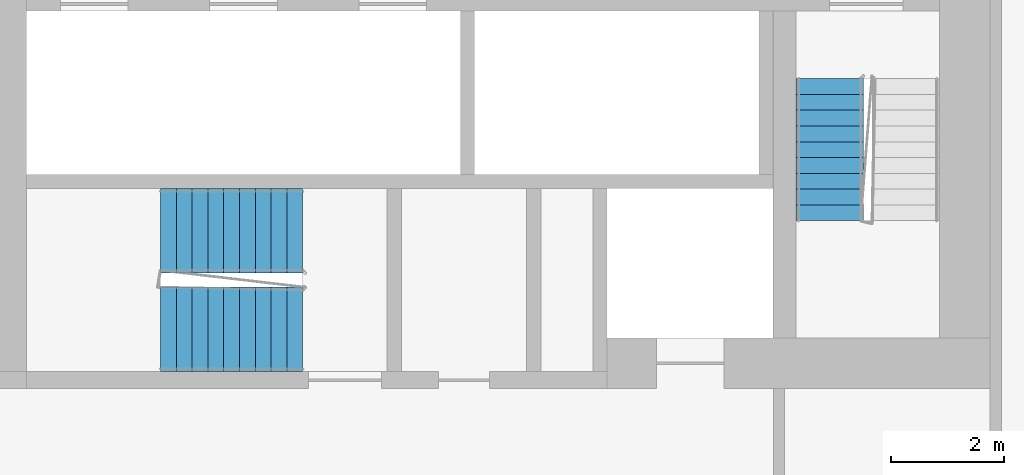
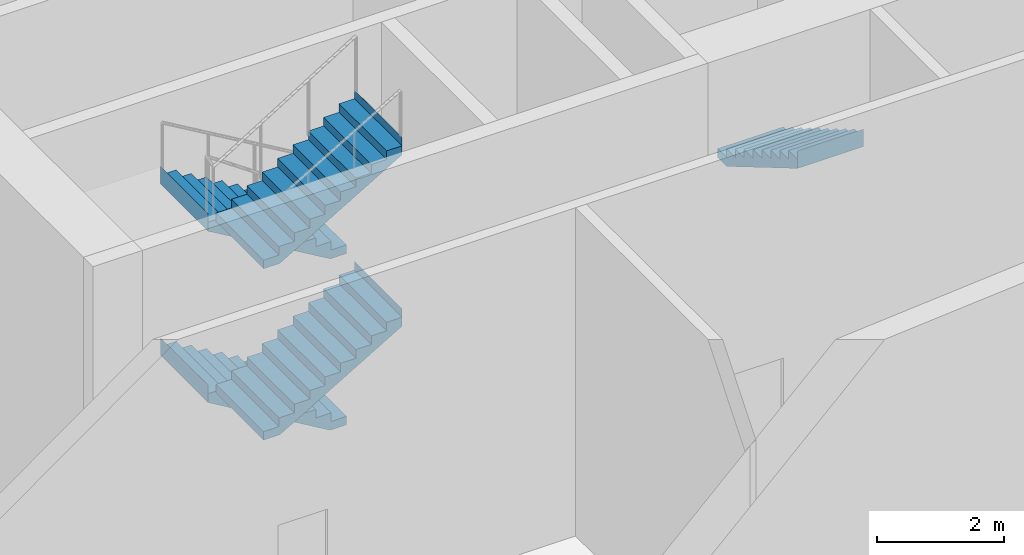
# One storey, part 17 of 25: 5 stair flights, 2 elements without a shape of their own.
"""IFC4 building model written with IfcOpenShell, lengths in metres."""

from ifc_helpers import new_model, si_unit, direction, frame, origin, place, context, subcontext, project, spatial, faceted_brep, material, type_object, element, aggregate, save


model = new_model("IFC4")

# Units and contexts
model_context = context("Model", 3, precision=1e-05, world=origin(), true_north=direction((0.0, 1.0)))
body_context = subcontext(model_context, "Body", "Model", "MODEL_VIEW")
ifc_project = project(units=[si_unit("LENGTHUNIT", "METRE"), si_unit("AREAUNIT", "SQUARE_METRE"), si_unit("VOLUMEUNIT", "CUBIC_METRE"), si_unit("PLANEANGLEUNIT", "RADIAN"), si_unit("MASSUNIT", "GRAM", prefix="KILO")], contexts=[model_context])

# Site, building, storey
site_placement = place(None, origin())
site = spatial("IfcSite", under=ifc_project, at=site_placement, CompositionType="ELEMENT")
building_placement = place(site_placement, origin())
building = spatial("IfcBuilding", under=site, at=building_placement, Name="Kajstack Hotel Tower", CompositionType="ELEMENT")
storey_placement = place(building_placement, frame((0.0, 0.0, 104.199951171875)))
storey = spatial("IfcBuildingStorey", under=building, at=storey_placement, Name="L22", CompositionType="ELEMENT", Elevation=104.199951171875)

# Stair, stair flight
ifc_material = material(Name="Concrete C40/50", Category="concrete")
stair_type_1 = type_object("IfcStairType", Name="Exit stair 1200", PredefinedType="HALF_TURN_STAIR", material=ifc_material)
stair_1_placement = place(storey_placement, origin())
stair_1 = element("IfcStair", 1, at=stair_1_placement, inside=storey, type_object=stair_type_1, Name="L22 stair W2", PredefinedType="HALF_TURN_STAIR")
stair_flight_type_1 = type_object("IfcStairFlightType", Name="Exit stair flight 1200", PredefinedType="STRAIGHT", material=ifc_material)
stair_flight_1_placement = place(storey_placement, frame((-16.35009765625, -10.0, 0.0), z_axis=(0.0, 0.0, 1.0), x_axis=(0.0, -1.0, 0.0)))
stair_flight_1 = element("IfcStairFlight", 2, at=stair_flight_1_placement, type_object=stair_flight_type_1, Name="W2 flight 1", NumberOfRisers=10, NumberOfTreads=9, PredefinedType="STRAIGHT", RiserHeight=0.165, TreadLength=0.28, context=body_context, shape_type="Brep", body=[
    faceted_brep([(0.295654296875, -0.60009765625, 0.0), (2.5205078125, -0.60009765625, 1.31103515625), (2.5205078125, -0.60009765625, 1.64990234375), (2.52001953125, -0.60009765625, 1.64990234375), (2.52001953125, -0.60009765625, 1.485107421875), (2.239990234375, -0.60009765625, 1.485107421875), (2.239990234375, -0.60009765625, 1.320068359375), (1.9599609375, -0.60009765625, 1.320068359375), (1.9599609375, -0.60009765625, 1.155029296875), (1.679931640625, -0.60009765625, 1.155029296875), (1.679931640625, -0.60009765625, 0.989990234375), (1.39990234375, -0.60009765625, 0.989990234375), (1.39990234375, -0.60009765625, 0.824951171875), (1.1201171875, -0.60009765625, 0.824951171875), (1.1201171875, -0.60009765625, 0.659912109375), (0.840087890625, -0.60009765625, 0.659912109375), (0.840087890625, -0.60009765625, 0.4951171875), (0.56005859375, -0.60009765625, 0.4951171875), (0.56005859375, -0.60009765625, 0.330078125), (0.280029296875, -0.60009765625, 0.330078125), (0.280029296875, -0.60009765625, 0.1650390625), (-0.00048828125, -0.60009765625, 0.1650390625), (-0.00048828125, -0.60009765625, 0.0), (-0.00048828125, 0.60009765625, 0.0), (-0.00048828125, 0.60009765625, 0.1650390625), (0.280029296875, 0.60009765625, 0.1650390625), (0.280029296875, 0.60009765625, 0.330078125), (0.56005859375, 0.60009765625, 0.330078125), (0.56005859375, 0.60009765625, 0.4951171875), (0.840087890625, 0.60009765625, 0.4951171875), (0.840087890625, 0.60009765625, 0.659912109375), (1.1201171875, 0.60009765625, 0.659912109375), (1.1201171875, 0.60009765625, 0.824951171875), (1.39990234375, 0.60009765625, 0.824951171875), (1.39990234375, 0.60009765625, 0.989990234375), (1.679931640625, 0.60009765625, 0.989990234375), (1.679931640625, 0.60009765625, 1.155029296875), (1.9599609375, 0.60009765625, 1.155029296875), (1.9599609375, 0.60009765625, 1.320068359375), (2.239990234375, 0.60009765625, 1.320068359375), (2.239990234375, 0.60009765625, 1.485107421875), (2.52001953125, 0.60009765625, 1.485107421875), (2.52001953125, 0.60009765625, 1.64990234375), (2.5205078125, 0.60009765625, 1.64990234375), (2.5205078125, 0.60009765625, 1.31103515625), (0.295654296875, 0.60009765625, 0.0), (-0.00048828125, -0.300048828125, 0.1650390625), (-0.00048828125, 0.0, 0.1650390625), (-0.00048828125, 0.300048828125, 0.1650390625), (-0.00048828125, 0.300048828125, 0.0), (-0.00048828125, 0.0, 0.0), (-0.00048828125, -0.300048828125, 0.0), (0.280029296875, -0.300048828125, 0.1650390625), (0.280029296875, 0.0, 0.1650390625), (0.280029296875, 0.300048828125, 0.1650390625), (0.280029296875, -0.300048828125, 0.330078125), (0.280029296875, 0.0, 0.330078125), (0.280029296875, 0.300048828125, 0.330078125), (0.56005859375, -0.300048828125, 0.330078125), (0.56005859375, 0.0, 0.330078125), (0.56005859375, 0.300048828125, 0.330078125), (0.56005859375, -0.300048828125, 0.4951171875), (0.56005859375, 0.0, 0.4951171875), (0.56005859375, 0.300048828125, 0.4951171875), (0.840087890625, -0.300048828125, 0.4951171875), (0.840087890625, 0.0, 0.4951171875), (0.840087890625, 0.300048828125, 0.4951171875), (0.840087890625, -0.300048828125, 0.659912109375), (0.840087890625, 0.0, 0.659912109375), (0.840087890625, 0.300048828125, 0.659912109375), (1.1201171875, -0.300048828125, 0.659912109375), (1.1201171875, 0.0, 0.659912109375), (1.1201171875, 0.300048828125, 0.659912109375), (1.1201171875, -0.300048828125, 0.824951171875), (1.1201171875, 0.0, 0.824951171875), (1.1201171875, 0.300048828125, 0.824951171875), (1.39990234375, -0.300048828125, 0.824951171875), (1.39990234375, 0.0, 0.824951171875), (1.39990234375, 0.300048828125, 0.824951171875), (1.39990234375, -0.300048828125, 0.989990234375), (1.39990234375, 0.0, 0.989990234375), (1.39990234375, 0.300048828125, 0.989990234375), (1.679931640625, -0.300048828125, 0.989990234375), (1.679931640625, 0.0, 0.989990234375), (1.679931640625, 0.300048828125, 0.989990234375), (1.679931640625, -0.300048828125, 1.155029296875), (1.679931640625, 0.0, 1.155029296875), (1.679931640625, 0.300048828125, 1.155029296875), (1.9599609375, -0.300048828125, 1.155029296875), (1.9599609375, 0.0, 1.155029296875), (1.9599609375, 0.300048828125, 1.155029296875), (1.9599609375, -0.300048828125, 1.320068359375), (1.9599609375, 0.0, 1.320068359375), (1.9599609375, 0.300048828125, 1.320068359375), (2.239990234375, -0.300048828125, 1.320068359375), (2.239990234375, 0.0, 1.320068359375), (2.239990234375, 0.300048828125, 1.320068359375), (2.239990234375, -0.300048828125, 1.485107421875), (2.239990234375, 0.0, 1.485107421875), (2.239990234375, 0.300048828125, 1.485107421875), (2.52001953125, -0.300048828125, 1.485107421875), (2.52001953125, 0.0, 1.485107421875), (2.52001953125, 0.300048828125, 1.485107421875), (2.52001953125, -0.300048828125, 1.64990234375), (2.52001953125, 0.0, 1.64990234375), (2.52001953125, 0.300048828125, 1.64990234375), (2.5205078125, -0.300048828125, 1.64990234375), (2.5205078125, 0.0, 1.64990234375), (2.5205078125, 0.300048828125, 1.64990234375), (2.5205078125, -0.300048828125, 1.31103515625), (2.5205078125, 0.0, 1.31103515625), (2.5205078125, 0.300048828125, 1.31103515625), (0.295654296875, -0.300048828125, 0.0), (0.295654296875, 0.0, 0.0), (0.295654296875, 0.300048828125, 0.0)], [[[0, 1, 2, 3, 4, 5, 6, 7, 8, 9, 10, 11, 12, 13, 14, 15, 16, 17, 18, 19, 20, 21, 22]], [[23, 24, 25, 26, 27, 28, 29, 30, 31, 32, 33, 34, 35, 36, 37, 38, 39, 40, 41, 42, 43, 44, 45]], [[21, 46, 47, 48, 24, 23, 49, 50, 51, 22]], [[20, 52, 53, 54, 25, 24, 48, 47, 46, 21]], [[19, 55, 56, 57, 26, 25, 54, 53, 52, 20]], [[18, 58, 59, 60, 27, 26, 57, 56, 55, 19]], [[17, 61, 62, 63, 28, 27, 60, 59, 58, 18]], [[16, 64, 65, 66, 29, 28, 63, 62, 61, 17]], [[15, 67, 68, 69, 30, 29, 66, 65, 64, 16]], [[14, 70, 71, 72, 31, 30, 69, 68, 67, 15]], [[13, 73, 74, 75, 32, 31, 72, 71, 70, 14]], [[12, 76, 77, 78, 33, 32, 75, 74, 73, 13]], [[11, 79, 80, 81, 34, 33, 78, 77, 76, 12]], [[10, 82, 83, 84, 35, 34, 81, 80, 79, 11]], [[9, 85, 86, 87, 36, 35, 84, 83, 82, 10]], [[8, 88, 89, 90, 37, 36, 87, 86, 85, 9]], [[7, 91, 92, 93, 38, 37, 90, 89, 88, 8]], [[6, 94, 95, 96, 39, 38, 93, 92, 91, 7]], [[5, 97, 98, 99, 40, 39, 96, 95, 94, 6]], [[4, 100, 101, 102, 41, 40, 99, 98, 97, 5]], [[3, 103, 104, 105, 42, 41, 102, 101, 100, 4]], [[2, 106, 107, 108, 43, 42, 105, 104, 103, 3]], [[1, 109, 110, 111, 44, 43, 108, 107, 106, 2]], [[0, 112, 113, 114, 45, 44, 111, 110, 109, 1]], [[22, 51, 50, 49, 23, 45, 114, 113, 112, 0]]]),
])
aggregate(stair_1, [stair_flight_1])

# Stair, stair flights
stair_type_2 = type_object("IfcStairType", Name="Exit stair 1500", PredefinedType="HALF_TURN_STAIR", material=ifc_material)
stair_2_placement = place(storey_placement, origin())
stair_2 = element("IfcStair", 3, at=stair_2_placement, inside=storey, type_object=stair_type_2, Name="L22 stair W3", PredefinedType="HALF_TURN_STAIR")
stair_flight_type_2 = type_object("IfcStairFlightType", Name="Exit stair flight 1500", PredefinedType="STRAIGHT", material=ifc_material)
stair_flight_2_placement = place(storey_placement, frame((-25.699951171875, -12.699951171875, 0.0), z_axis=(0.0, 0.0, 1.0), x_axis=(-1.0, 0.0, 0.0)))
stair_flight_2 = element("IfcStairFlight", 4, at=stair_flight_2_placement, type_object=stair_flight_type_2, Name="W3 flight 1", NumberOfRisers=10, NumberOfTreads=9, PredefinedType="STRAIGHT", RiserHeight=0.165, TreadLength=0.28, context=body_context, shape_type="Brep", body=[
    faceted_brep([(0.295654296875, -0.75, 0.0), (2.5205078125, -0.75, 1.31103515625), (2.5205078125, -0.75, 1.64990234375), (2.52001953125, -0.75, 1.64990234375), (2.52001953125, -0.75, 1.485107421875), (2.239990234375, -0.75, 1.485107421875), (2.239990234375, -0.75, 1.320068359375), (1.9599609375, -0.75, 1.320068359375), (1.9599609375, -0.75, 1.155029296875), (1.679931640625, -0.75, 1.155029296875), (1.679931640625, -0.75, 0.989990234375), (1.39990234375, -0.75, 0.989990234375), (1.39990234375, -0.75, 0.824951171875), (1.1201171875, -0.75, 0.824951171875), (1.1201171875, -0.75, 0.659912109375), (0.840087890625, -0.75, 0.659912109375), (0.840087890625, -0.75, 0.4951171875), (0.56005859375, -0.75, 0.4951171875), (0.56005859375, -0.75, 0.330078125), (0.280029296875, -0.75, 0.330078125), (0.280029296875, -0.75, 0.1650390625), (-0.00048828125, -0.75, 0.1650390625), (-0.00048828125, -0.75, 0.0), (-0.00048828125, 0.75, 0.0), (-0.00048828125, 0.75, 0.1650390625), (0.280029296875, 0.75, 0.1650390625), (0.280029296875, 0.75, 0.330078125), (0.56005859375, 0.75, 0.330078125), (0.56005859375, 0.75, 0.4951171875), (0.840087890625, 0.75, 0.4951171875), (0.840087890625, 0.75, 0.659912109375), (1.1201171875, 0.75, 0.659912109375), (1.1201171875, 0.75, 0.824951171875), (1.39990234375, 0.75, 0.824951171875), (1.39990234375, 0.75, 0.989990234375), (1.679931640625, 0.75, 0.989990234375), (1.679931640625, 0.75, 1.155029296875), (1.9599609375, 0.75, 1.155029296875), (1.9599609375, 0.75, 1.320068359375), (2.239990234375, 0.75, 1.320068359375), (2.239990234375, 0.75, 1.485107421875), (2.52001953125, 0.75, 1.485107421875), (2.52001953125, 0.75, 1.64990234375), (2.5205078125, 0.75, 1.64990234375), (2.5205078125, 0.75, 1.31103515625), (0.295654296875, 0.75, 0.0), (-0.00048828125, -0.375, 0.1650390625), (-0.00048828125, 0.0, 0.1650390625), (-0.00048828125, 0.375, 0.1650390625), (-0.00048828125, 0.375, 0.0), (-0.00048828125, 0.0, 0.0), (-0.00048828125, -0.375, 0.0), (0.280029296875, -0.375, 0.1650390625), (0.280029296875, 0.0, 0.1650390625), (0.280029296875, 0.375, 0.1650390625), (0.280029296875, -0.375, 0.330078125), (0.280029296875, 0.0, 0.330078125), (0.280029296875, 0.375, 0.330078125), (0.56005859375, -0.375, 0.330078125), (0.56005859375, 0.0, 0.330078125), (0.56005859375, 0.375, 0.330078125), (0.56005859375, -0.375, 0.4951171875), (0.56005859375, 0.0, 0.4951171875), (0.56005859375, 0.375, 0.4951171875), (0.840087890625, -0.375, 0.4951171875), (0.840087890625, 0.0, 0.4951171875), (0.840087890625, 0.375, 0.4951171875), (0.840087890625, -0.375, 0.659912109375), (0.840087890625, 0.0, 0.659912109375), (0.840087890625, 0.375, 0.659912109375), (1.1201171875, -0.375, 0.659912109375), (1.1201171875, 0.0, 0.659912109375), (1.1201171875, 0.375, 0.659912109375), (1.1201171875, -0.375, 0.824951171875), (1.1201171875, 0.0, 0.824951171875), (1.1201171875, 0.375, 0.824951171875), (1.39990234375, -0.375, 0.824951171875), (1.39990234375, 0.0, 0.824951171875), (1.39990234375, 0.375, 0.824951171875), (1.39990234375, -0.375, 0.989990234375), (1.39990234375, 0.0, 0.989990234375), (1.39990234375, 0.375, 0.989990234375), (1.679931640625, -0.375, 0.989990234375), (1.679931640625, 0.0, 0.989990234375), (1.679931640625, 0.375, 0.989990234375), (1.679931640625, -0.375, 1.155029296875), (1.679931640625, 0.0, 1.155029296875), (1.679931640625, 0.375, 1.155029296875), (1.9599609375, -0.375, 1.155029296875), (1.9599609375, 0.0, 1.155029296875), (1.9599609375, 0.375, 1.155029296875), (1.9599609375, -0.375, 1.320068359375), (1.9599609375, 0.0, 1.320068359375), (1.9599609375, 0.375, 1.320068359375), (2.239990234375, -0.375, 1.320068359375), (2.239990234375, 0.0, 1.320068359375), (2.239990234375, 0.375, 1.320068359375), (2.239990234375, -0.375, 1.485107421875), (2.239990234375, 0.0, 1.485107421875), (2.239990234375, 0.375, 1.485107421875), (2.52001953125, -0.375, 1.485107421875), (2.52001953125, 0.0, 1.485107421875), (2.52001953125, 0.375, 1.485107421875), (2.52001953125, -0.375, 1.64990234375), (2.52001953125, 0.0, 1.64990234375), (2.52001953125, 0.375, 1.64990234375), (2.5205078125, -0.375, 1.64990234375), (2.5205078125, 0.0, 1.64990234375), (2.5205078125, 0.375, 1.64990234375), (2.5205078125, -0.375, 1.31103515625), (2.5205078125, 0.0, 1.31103515625), (2.5205078125, 0.375, 1.31103515625), (0.295654296875, -0.375, 0.0), (0.295654296875, 0.0, 0.0), (0.295654296875, 0.375, 0.0)], [[[0, 1, 2, 3, 4, 5, 6, 7, 8, 9, 10, 11, 12, 13, 14, 15, 16, 17, 18, 19, 20, 21, 22]], [[23, 24, 25, 26, 27, 28, 29, 30, 31, 32, 33, 34, 35, 36, 37, 38, 39, 40, 41, 42, 43, 44, 45]], [[21, 46, 47, 48, 24, 23, 49, 50, 51, 22]], [[20, 52, 53, 54, 25, 24, 48, 47, 46, 21]], [[19, 55, 56, 57, 26, 25, 54, 53, 52, 20]], [[18, 58, 59, 60, 27, 26, 57, 56, 55, 19]], [[17, 61, 62, 63, 28, 27, 60, 59, 58, 18]], [[16, 64, 65, 66, 29, 28, 63, 62, 61, 17]], [[15, 67, 68, 69, 30, 29, 66, 65, 64, 16]], [[14, 70, 71, 72, 31, 30, 69, 68, 67, 15]], [[13, 73, 74, 75, 32, 31, 72, 71, 70, 14]], [[12, 76, 77, 78, 33, 32, 75, 74, 73, 13]], [[11, 79, 80, 81, 34, 33, 78, 77, 76, 12]], [[10, 82, 83, 84, 35, 34, 81, 80, 79, 11]], [[9, 85, 86, 87, 36, 35, 84, 83, 82, 10]], [[8, 88, 89, 90, 37, 36, 87, 86, 85, 9]], [[7, 91, 92, 93, 38, 37, 90, 89, 88, 8]], [[6, 94, 95, 96, 39, 38, 93, 92, 91, 7]], [[5, 97, 98, 99, 40, 39, 96, 95, 94, 6]], [[4, 100, 101, 102, 41, 40, 99, 98, 97, 5]], [[3, 103, 104, 105, 42, 41, 102, 101, 100, 4]], [[2, 106, 107, 108, 43, 42, 105, 104, 103, 3]], [[1, 109, 110, 111, 44, 43, 108, 107, 106, 2]], [[0, 112, 113, 114, 45, 44, 111, 110, 109, 1]], [[22, 51, 50, 49, 23, 45, 114, 113, 112, 0]]]),
])
stair_flight_3_placement = place(storey_placement, frame((-28.219970703125, -14.449951171875, 1.650146484375), z_axis=(0.0, 0.0, 1.0), x_axis=(1.0, 0.0, 0.0)))
stair_flight_3 = element("IfcStairFlight", 5, at=stair_flight_3_placement, type_object=stair_flight_type_2, Name="W3 flight 2", NumberOfRisers=10, NumberOfTreads=9, PredefinedType="STRAIGHT", RiserHeight=0.165, TreadLength=0.28, context=body_context, shape_type="Brep", body=[
    faceted_brep([(0.295654296875, -0.75, 0.0), (2.5205078125, -0.75, 1.31103515625), (2.5205078125, -0.75, 1.64990234375), (2.52001953125, -0.75, 1.64990234375), (2.52001953125, -0.75, 1.485107421875), (2.239990234375, -0.75, 1.485107421875), (2.239990234375, -0.75, 1.320068359375), (1.9599609375, -0.75, 1.320068359375), (1.9599609375, -0.75, 1.155029296875), (1.679931640625, -0.75, 1.155029296875), (1.679931640625, -0.75, 0.989990234375), (1.39990234375, -0.75, 0.989990234375), (1.39990234375, -0.75, 0.824951171875), (1.1201171875, -0.75, 0.824951171875), (1.1201171875, -0.75, 0.659912109375), (0.840087890625, -0.75, 0.659912109375), (0.840087890625, -0.75, 0.4951171875), (0.56005859375, -0.75, 0.4951171875), (0.56005859375, -0.75, 0.330078125), (0.280029296875, -0.75, 0.330078125), (0.280029296875, -0.75, 0.1650390625), (-0.00048828125, -0.75, 0.1650390625), (-0.00048828125, -0.75, 0.0), (-0.00048828125, 0.75, 0.0), (-0.00048828125, 0.75, 0.1650390625), (0.280029296875, 0.75, 0.1650390625), (0.280029296875, 0.75, 0.330078125), (0.56005859375, 0.75, 0.330078125), (0.56005859375, 0.75, 0.4951171875), (0.840087890625, 0.75, 0.4951171875), (0.840087890625, 0.75, 0.659912109375), (1.1201171875, 0.75, 0.659912109375), (1.1201171875, 0.75, 0.824951171875), (1.39990234375, 0.75, 0.824951171875), (1.39990234375, 0.75, 0.989990234375), (1.679931640625, 0.75, 0.989990234375), (1.679931640625, 0.75, 1.155029296875), (1.9599609375, 0.75, 1.155029296875), (1.9599609375, 0.75, 1.320068359375), (2.239990234375, 0.75, 1.320068359375), (2.239990234375, 0.75, 1.485107421875), (2.52001953125, 0.75, 1.485107421875), (2.52001953125, 0.75, 1.64990234375), (2.5205078125, 0.75, 1.64990234375), (2.5205078125, 0.75, 1.31103515625), (0.295654296875, 0.75, 0.0), (-0.00048828125, -0.375, 0.1650390625), (-0.00048828125, 0.0, 0.1650390625), (-0.00048828125, 0.375, 0.1650390625), (-0.00048828125, 0.375, 0.0), (-0.00048828125, 0.0, 0.0), (-0.00048828125, -0.375, 0.0), (0.280029296875, -0.375, 0.1650390625), (0.280029296875, 0.0, 0.1650390625), (0.280029296875, 0.375, 0.1650390625), (0.280029296875, -0.375, 0.330078125), (0.280029296875, 0.0, 0.330078125), (0.280029296875, 0.375, 0.330078125), (0.56005859375, -0.375, 0.330078125), (0.56005859375, 0.0, 0.330078125), (0.56005859375, 0.375, 0.330078125), (0.56005859375, -0.375, 0.4951171875), (0.56005859375, 0.0, 0.4951171875), (0.56005859375, 0.375, 0.4951171875), (0.840087890625, -0.375, 0.4951171875), (0.840087890625, 0.0, 0.4951171875), (0.840087890625, 0.375, 0.4951171875), (0.840087890625, -0.375, 0.659912109375), (0.840087890625, 0.0, 0.659912109375), (0.840087890625, 0.375, 0.659912109375), (1.1201171875, -0.375, 0.659912109375), (1.1201171875, 0.0, 0.659912109375), (1.1201171875, 0.375, 0.659912109375), (1.1201171875, -0.375, 0.824951171875), (1.1201171875, 0.0, 0.824951171875), (1.1201171875, 0.375, 0.824951171875), (1.39990234375, -0.375, 0.824951171875), (1.39990234375, 0.0, 0.824951171875), (1.39990234375, 0.375, 0.824951171875), (1.39990234375, -0.375, 0.989990234375), (1.39990234375, 0.0, 0.989990234375), (1.39990234375, 0.375, 0.989990234375), (1.679931640625, -0.375, 0.989990234375), (1.679931640625, 0.0, 0.989990234375), (1.679931640625, 0.375, 0.989990234375), (1.679931640625, -0.375, 1.155029296875), (1.679931640625, 0.0, 1.155029296875), (1.679931640625, 0.375, 1.155029296875), (1.9599609375, -0.375, 1.155029296875), (1.9599609375, 0.0, 1.155029296875), (1.9599609375, 0.375, 1.155029296875), (1.9599609375, -0.375, 1.320068359375), (1.9599609375, 0.0, 1.320068359375), (1.9599609375, 0.375, 1.320068359375), (2.239990234375, -0.375, 1.320068359375), (2.239990234375, 0.0, 1.320068359375), (2.239990234375, 0.375, 1.320068359375), (2.239990234375, -0.375, 1.485107421875), (2.239990234375, 0.0, 1.485107421875), (2.239990234375, 0.375, 1.485107421875), (2.52001953125, -0.375, 1.485107421875), (2.52001953125, 0.0, 1.485107421875), (2.52001953125, 0.375, 1.485107421875), (2.52001953125, -0.375, 1.64990234375), (2.52001953125, 0.0, 1.64990234375), (2.52001953125, 0.375, 1.64990234375), (2.5205078125, -0.375, 1.64990234375), (2.5205078125, 0.0, 1.64990234375), (2.5205078125, 0.375, 1.64990234375), (2.5205078125, -0.375, 1.31103515625), (2.5205078125, 0.0, 1.31103515625), (2.5205078125, 0.375, 1.31103515625), (0.295654296875, -0.375, 0.0), (0.295654296875, 0.0, 0.0), (0.295654296875, 0.375, 0.0)], [[[0, 1, 2, 3, 4, 5, 6, 7, 8, 9, 10, 11, 12, 13, 14, 15, 16, 17, 18, 19, 20, 21, 22]], [[23, 24, 25, 26, 27, 28, 29, 30, 31, 32, 33, 34, 35, 36, 37, 38, 39, 40, 41, 42, 43, 44, 45]], [[21, 46, 47, 48, 24, 23, 49, 50, 51, 22]], [[20, 52, 53, 54, 25, 24, 48, 47, 46, 21]], [[19, 55, 56, 57, 26, 25, 54, 53, 52, 20]], [[18, 58, 59, 60, 27, 26, 57, 56, 55, 19]], [[17, 61, 62, 63, 28, 27, 60, 59, 58, 18]], [[16, 64, 65, 66, 29, 28, 63, 62, 61, 17]], [[15, 67, 68, 69, 30, 29, 66, 65, 64, 16]], [[14, 70, 71, 72, 31, 30, 69, 68, 67, 15]], [[13, 73, 74, 75, 32, 31, 72, 71, 70, 14]], [[12, 76, 77, 78, 33, 32, 75, 74, 73, 13]], [[11, 79, 80, 81, 34, 33, 78, 77, 76, 12]], [[10, 82, 83, 84, 35, 34, 81, 80, 79, 11]], [[9, 85, 86, 87, 36, 35, 84, 83, 82, 10]], [[8, 88, 89, 90, 37, 36, 87, 86, 85, 9]], [[7, 91, 92, 93, 38, 37, 90, 89, 88, 8]], [[6, 94, 95, 96, 39, 38, 93, 92, 91, 7]], [[5, 97, 98, 99, 40, 39, 96, 95, 94, 6]], [[4, 100, 101, 102, 41, 40, 99, 98, 97, 5]], [[3, 103, 104, 105, 42, 41, 102, 101, 100, 4]], [[2, 106, 107, 108, 43, 42, 105, 104, 103, 3]], [[1, 109, 110, 111, 44, 43, 108, 107, 106, 2]], [[0, 112, 113, 114, 45, 44, 111, 110, 109, 1]], [[22, 51, 50, 49, 23, 45, 114, 113, 112, 0]]]),
])
stair_flight_4_placement = place(storey_placement, frame((-25.699951171875, -12.699951171875, 3.300048828125), z_axis=(0.0, 0.0, 1.0), x_axis=(-1.0, 0.0, 0.0)))
stair_flight_4 = element("IfcStairFlight", 6, at=stair_flight_4_placement, type_object=stair_flight_type_2, Name="W3 flight 3", NumberOfRisers=10, NumberOfTreads=9, PredefinedType="STRAIGHT", RiserHeight=0.165, TreadLength=0.28, context=body_context, shape_type="Brep", body=[
    faceted_brep([(0.295654296875, -0.75, 0.0), (2.5205078125, -0.75, 1.31103515625), (2.5205078125, -0.75, 1.64990234375), (2.52001953125, -0.75, 1.64990234375), (2.52001953125, -0.75, 1.485107421875), (2.239990234375, -0.75, 1.485107421875), (2.239990234375, -0.75, 1.320068359375), (1.9599609375, -0.75, 1.320068359375), (1.9599609375, -0.75, 1.155029296875), (1.679931640625, -0.75, 1.155029296875), (1.679931640625, -0.75, 0.989990234375), (1.39990234375, -0.75, 0.989990234375), (1.39990234375, -0.75, 0.824951171875), (1.1201171875, -0.75, 0.824951171875), (1.1201171875, -0.75, 0.659912109375), (0.840087890625, -0.75, 0.659912109375), (0.840087890625, -0.75, 0.4951171875), (0.56005859375, -0.75, 0.4951171875), (0.56005859375, -0.75, 0.330078125), (0.280029296875, -0.75, 0.330078125), (0.280029296875, -0.75, 0.1650390625), (-0.00048828125, -0.75, 0.1650390625), (-0.00048828125, -0.75, 0.0), (-0.00048828125, 0.75, 0.0), (-0.00048828125, 0.75, 0.1650390625), (0.280029296875, 0.75, 0.1650390625), (0.280029296875, 0.75, 0.330078125), (0.56005859375, 0.75, 0.330078125), (0.56005859375, 0.75, 0.4951171875), (0.840087890625, 0.75, 0.4951171875), (0.840087890625, 0.75, 0.659912109375), (1.1201171875, 0.75, 0.659912109375), (1.1201171875, 0.75, 0.824951171875), (1.39990234375, 0.75, 0.824951171875), (1.39990234375, 0.75, 0.989990234375), (1.679931640625, 0.75, 0.989990234375), (1.679931640625, 0.75, 1.155029296875), (1.9599609375, 0.75, 1.155029296875), (1.9599609375, 0.75, 1.320068359375), (2.239990234375, 0.75, 1.320068359375), (2.239990234375, 0.75, 1.485107421875), (2.52001953125, 0.75, 1.485107421875), (2.52001953125, 0.75, 1.64990234375), (2.5205078125, 0.75, 1.64990234375), (2.5205078125, 0.75, 1.31103515625), (0.295654296875, 0.75, 0.0), (-0.00048828125, -0.375, 0.1650390625), (-0.00048828125, 0.0, 0.1650390625), (-0.00048828125, 0.375, 0.1650390625), (-0.00048828125, 0.375, 0.0), (-0.00048828125, 0.0, 0.0), (-0.00048828125, -0.375, 0.0), (0.280029296875, -0.375, 0.1650390625), (0.280029296875, 0.0, 0.1650390625), (0.280029296875, 0.375, 0.1650390625), (0.280029296875, -0.375, 0.330078125), (0.280029296875, 0.0, 0.330078125), (0.280029296875, 0.375, 0.330078125), (0.56005859375, -0.375, 0.330078125), (0.56005859375, 0.0, 0.330078125), (0.56005859375, 0.375, 0.330078125), (0.56005859375, -0.375, 0.4951171875), (0.56005859375, 0.0, 0.4951171875), (0.56005859375, 0.375, 0.4951171875), (0.840087890625, -0.375, 0.4951171875), (0.840087890625, 0.0, 0.4951171875), (0.840087890625, 0.375, 0.4951171875), (0.840087890625, -0.375, 0.659912109375), (0.840087890625, 0.0, 0.659912109375), (0.840087890625, 0.375, 0.659912109375), (1.1201171875, -0.375, 0.659912109375), (1.1201171875, 0.0, 0.659912109375), (1.1201171875, 0.375, 0.659912109375), (1.1201171875, -0.375, 0.824951171875), (1.1201171875, 0.0, 0.824951171875), (1.1201171875, 0.375, 0.824951171875), (1.39990234375, -0.375, 0.824951171875), (1.39990234375, 0.0, 0.824951171875), (1.39990234375, 0.375, 0.824951171875), (1.39990234375, -0.375, 0.989990234375), (1.39990234375, 0.0, 0.989990234375), (1.39990234375, 0.375, 0.989990234375), (1.679931640625, -0.375, 0.989990234375), (1.679931640625, 0.0, 0.989990234375), (1.679931640625, 0.375, 0.989990234375), (1.679931640625, -0.375, 1.155029296875), (1.679931640625, 0.0, 1.155029296875), (1.679931640625, 0.375, 1.155029296875), (1.9599609375, -0.375, 1.155029296875), (1.9599609375, 0.0, 1.155029296875), (1.9599609375, 0.375, 1.155029296875), (1.9599609375, -0.375, 1.320068359375), (1.9599609375, 0.0, 1.320068359375), (1.9599609375, 0.375, 1.320068359375), (2.239990234375, -0.375, 1.320068359375), (2.239990234375, 0.0, 1.320068359375), (2.239990234375, 0.375, 1.320068359375), (2.239990234375, -0.375, 1.485107421875), (2.239990234375, 0.0, 1.485107421875), (2.239990234375, 0.375, 1.485107421875), (2.52001953125, -0.375, 1.485107421875), (2.52001953125, 0.0, 1.485107421875), (2.52001953125, 0.375, 1.485107421875), (2.52001953125, -0.375, 1.64990234375), (2.52001953125, 0.0, 1.64990234375), (2.52001953125, 0.375, 1.64990234375), (2.5205078125, -0.375, 1.64990234375), (2.5205078125, 0.0, 1.64990234375), (2.5205078125, 0.375, 1.64990234375), (2.5205078125, -0.375, 1.31103515625), (2.5205078125, 0.0, 1.31103515625), (2.5205078125, 0.375, 1.31103515625), (0.295654296875, -0.375, 0.0), (0.295654296875, 0.0, 0.0), (0.295654296875, 0.375, 0.0)], [[[0, 1, 2, 3, 4, 5, 6, 7, 8, 9, 10, 11, 12, 13, 14, 15, 16, 17, 18, 19, 20, 21, 22]], [[23, 24, 25, 26, 27, 28, 29, 30, 31, 32, 33, 34, 35, 36, 37, 38, 39, 40, 41, 42, 43, 44, 45]], [[21, 46, 47, 48, 24, 23, 49, 50, 51, 22]], [[20, 52, 53, 54, 25, 24, 48, 47, 46, 21]], [[19, 55, 56, 57, 26, 25, 54, 53, 52, 20]], [[18, 58, 59, 60, 27, 26, 57, 56, 55, 19]], [[17, 61, 62, 63, 28, 27, 60, 59, 58, 18]], [[16, 64, 65, 66, 29, 28, 63, 62, 61, 17]], [[15, 67, 68, 69, 30, 29, 66, 65, 64, 16]], [[14, 70, 71, 72, 31, 30, 69, 68, 67, 15]], [[13, 73, 74, 75, 32, 31, 72, 71, 70, 14]], [[12, 76, 77, 78, 33, 32, 75, 74, 73, 13]], [[11, 79, 80, 81, 34, 33, 78, 77, 76, 12]], [[10, 82, 83, 84, 35, 34, 81, 80, 79, 11]], [[9, 85, 86, 87, 36, 35, 84, 83, 82, 10]], [[8, 88, 89, 90, 37, 36, 87, 86, 85, 9]], [[7, 91, 92, 93, 38, 37, 90, 89, 88, 8]], [[6, 94, 95, 96, 39, 38, 93, 92, 91, 7]], [[5, 97, 98, 99, 40, 39, 96, 95, 94, 6]], [[4, 100, 101, 102, 41, 40, 99, 98, 97, 5]], [[3, 103, 104, 105, 42, 41, 102, 101, 100, 4]], [[2, 106, 107, 108, 43, 42, 105, 104, 103, 3]], [[1, 109, 110, 111, 44, 43, 108, 107, 106, 2]], [[0, 112, 113, 114, 45, 44, 111, 110, 109, 1]], [[22, 51, 50, 49, 23, 45, 114, 113, 112, 0]]]),
])
stair_flight_5_placement = place(storey_placement, frame((-28.219970703125, -14.449951171875, 4.949951171875), z_axis=(0.0, 0.0, 1.0), x_axis=(1.0, 0.0, 0.0)))
stair_flight_5 = element("IfcStairFlight", 7, at=stair_flight_5_placement, type_object=stair_flight_type_2, Name="W3 flight 4", NumberOfRisers=10, NumberOfTreads=9, PredefinedType="STRAIGHT", RiserHeight=0.165, TreadLength=0.28, context=body_context, shape_type="Brep", body=[
    faceted_brep([(0.295654296875, -0.75, 0.0), (2.5205078125, -0.75, 1.31103515625), (2.5205078125, -0.75, 1.64990234375), (2.52001953125, -0.75, 1.64990234375), (2.52001953125, -0.75, 1.485107421875), (2.239990234375, -0.75, 1.485107421875), (2.239990234375, -0.75, 1.320068359375), (1.9599609375, -0.75, 1.320068359375), (1.9599609375, -0.75, 1.155029296875), (1.679931640625, -0.75, 1.155029296875), (1.679931640625, -0.75, 0.989990234375), (1.39990234375, -0.75, 0.989990234375), (1.39990234375, -0.75, 0.824951171875), (1.1201171875, -0.75, 0.824951171875), (1.1201171875, -0.75, 0.659912109375), (0.840087890625, -0.75, 0.659912109375), (0.840087890625, -0.75, 0.4951171875), (0.56005859375, -0.75, 0.4951171875), (0.56005859375, -0.75, 0.330078125), (0.280029296875, -0.75, 0.330078125), (0.280029296875, -0.75, 0.1650390625), (-0.00048828125, -0.75, 0.1650390625), (-0.00048828125, -0.75, 0.0), (-0.00048828125, 0.75, 0.0), (-0.00048828125, 0.75, 0.1650390625), (0.280029296875, 0.75, 0.1650390625), (0.280029296875, 0.75, 0.330078125), (0.56005859375, 0.75, 0.330078125), (0.56005859375, 0.75, 0.4951171875), (0.840087890625, 0.75, 0.4951171875), (0.840087890625, 0.75, 0.659912109375), (1.1201171875, 0.75, 0.659912109375), (1.1201171875, 0.75, 0.824951171875), (1.39990234375, 0.75, 0.824951171875), (1.39990234375, 0.75, 0.989990234375), (1.679931640625, 0.75, 0.989990234375), (1.679931640625, 0.75, 1.155029296875), (1.9599609375, 0.75, 1.155029296875), (1.9599609375, 0.75, 1.320068359375), (2.239990234375, 0.75, 1.320068359375), (2.239990234375, 0.75, 1.485107421875), (2.52001953125, 0.75, 1.485107421875), (2.52001953125, 0.75, 1.64990234375), (2.5205078125, 0.75, 1.64990234375), (2.5205078125, 0.75, 1.31103515625), (0.295654296875, 0.75, 0.0), (-0.00048828125, -0.375, 0.1650390625), (-0.00048828125, 0.0, 0.1650390625), (-0.00048828125, 0.375, 0.1650390625), (-0.00048828125, 0.375, 0.0), (-0.00048828125, 0.0, 0.0), (-0.00048828125, -0.375, 0.0), (0.280029296875, -0.375, 0.1650390625), (0.280029296875, 0.0, 0.1650390625), (0.280029296875, 0.375, 0.1650390625), (0.280029296875, -0.375, 0.330078125), (0.280029296875, 0.0, 0.330078125), (0.280029296875, 0.375, 0.330078125), (0.56005859375, -0.375, 0.330078125), (0.56005859375, 0.0, 0.330078125), (0.56005859375, 0.375, 0.330078125), (0.56005859375, -0.375, 0.4951171875), (0.56005859375, 0.0, 0.4951171875), (0.56005859375, 0.375, 0.4951171875), (0.840087890625, -0.375, 0.4951171875), (0.840087890625, 0.0, 0.4951171875), (0.840087890625, 0.375, 0.4951171875), (0.840087890625, -0.375, 0.659912109375), (0.840087890625, 0.0, 0.659912109375), (0.840087890625, 0.375, 0.659912109375), (1.1201171875, -0.375, 0.659912109375), (1.1201171875, 0.0, 0.659912109375), (1.1201171875, 0.375, 0.659912109375), (1.1201171875, -0.375, 0.824951171875), (1.1201171875, 0.0, 0.824951171875), (1.1201171875, 0.375, 0.824951171875), (1.39990234375, -0.375, 0.824951171875), (1.39990234375, 0.0, 0.824951171875), (1.39990234375, 0.375, 0.824951171875), (1.39990234375, -0.375, 0.989990234375), (1.39990234375, 0.0, 0.989990234375), (1.39990234375, 0.375, 0.989990234375), (1.679931640625, -0.375, 0.989990234375), (1.679931640625, 0.0, 0.989990234375), (1.679931640625, 0.375, 0.989990234375), (1.679931640625, -0.375, 1.155029296875), (1.679931640625, 0.0, 1.155029296875), (1.679931640625, 0.375, 1.155029296875), (1.9599609375, -0.375, 1.155029296875), (1.9599609375, 0.0, 1.155029296875), (1.9599609375, 0.375, 1.155029296875), (1.9599609375, -0.375, 1.320068359375), (1.9599609375, 0.0, 1.320068359375), (1.9599609375, 0.375, 1.320068359375), (2.239990234375, -0.375, 1.320068359375), (2.239990234375, 0.0, 1.320068359375), (2.239990234375, 0.375, 1.320068359375), (2.239990234375, -0.375, 1.485107421875), (2.239990234375, 0.0, 1.485107421875), (2.239990234375, 0.375, 1.485107421875), (2.52001953125, -0.375, 1.485107421875), (2.52001953125, 0.0, 1.485107421875), (2.52001953125, 0.375, 1.485107421875), (2.52001953125, -0.375, 1.64990234375), (2.52001953125, 0.0, 1.64990234375), (2.52001953125, 0.375, 1.64990234375), (2.5205078125, -0.375, 1.64990234375), (2.5205078125, 0.0, 1.64990234375), (2.5205078125, 0.375, 1.64990234375), (2.5205078125, -0.375, 1.31103515625), (2.5205078125, 0.0, 1.31103515625), (2.5205078125, 0.375, 1.31103515625), (0.295654296875, -0.375, 0.0), (0.295654296875, 0.0, 0.0), (0.295654296875, 0.375, 0.0)], [[[0, 1, 2, 3, 4, 5, 6, 7, 8, 9, 10, 11, 12, 13, 14, 15, 16, 17, 18, 19, 20, 21, 22]], [[23, 24, 25, 26, 27, 28, 29, 30, 31, 32, 33, 34, 35, 36, 37, 38, 39, 40, 41, 42, 43, 44, 45]], [[21, 46, 47, 48, 24, 23, 49, 50, 51, 22]], [[20, 52, 53, 54, 25, 24, 48, 47, 46, 21]], [[19, 55, 56, 57, 26, 25, 54, 53, 52, 20]], [[18, 58, 59, 60, 27, 26, 57, 56, 55, 19]], [[17, 61, 62, 63, 28, 27, 60, 59, 58, 18]], [[16, 64, 65, 66, 29, 28, 63, 62, 61, 17]], [[15, 67, 68, 69, 30, 29, 66, 65, 64, 16]], [[14, 70, 71, 72, 31, 30, 69, 68, 67, 15]], [[13, 73, 74, 75, 32, 31, 72, 71, 70, 14]], [[12, 76, 77, 78, 33, 32, 75, 74, 73, 13]], [[11, 79, 80, 81, 34, 33, 78, 77, 76, 12]], [[10, 82, 83, 84, 35, 34, 81, 80, 79, 11]], [[9, 85, 86, 87, 36, 35, 84, 83, 82, 10]], [[8, 88, 89, 90, 37, 36, 87, 86, 85, 9]], [[7, 91, 92, 93, 38, 37, 90, 89, 88, 8]], [[6, 94, 95, 96, 39, 38, 93, 92, 91, 7]], [[5, 97, 98, 99, 40, 39, 96, 95, 94, 6]], [[4, 100, 101, 102, 41, 40, 99, 98, 97, 5]], [[3, 103, 104, 105, 42, 41, 102, 101, 100, 4]], [[2, 106, 107, 108, 43, 42, 105, 104, 103, 3]], [[1, 109, 110, 111, 44, 43, 108, 107, 106, 2]], [[0, 112, 113, 114, 45, 44, 111, 110, 109, 1]], [[22, 51, 50, 49, 23, 45, 114, 113, 112, 0]]]),
])
aggregate(stair_2, [stair_flight_2, stair_flight_3, stair_flight_4, stair_flight_5])

save(model, "model.ifc")
